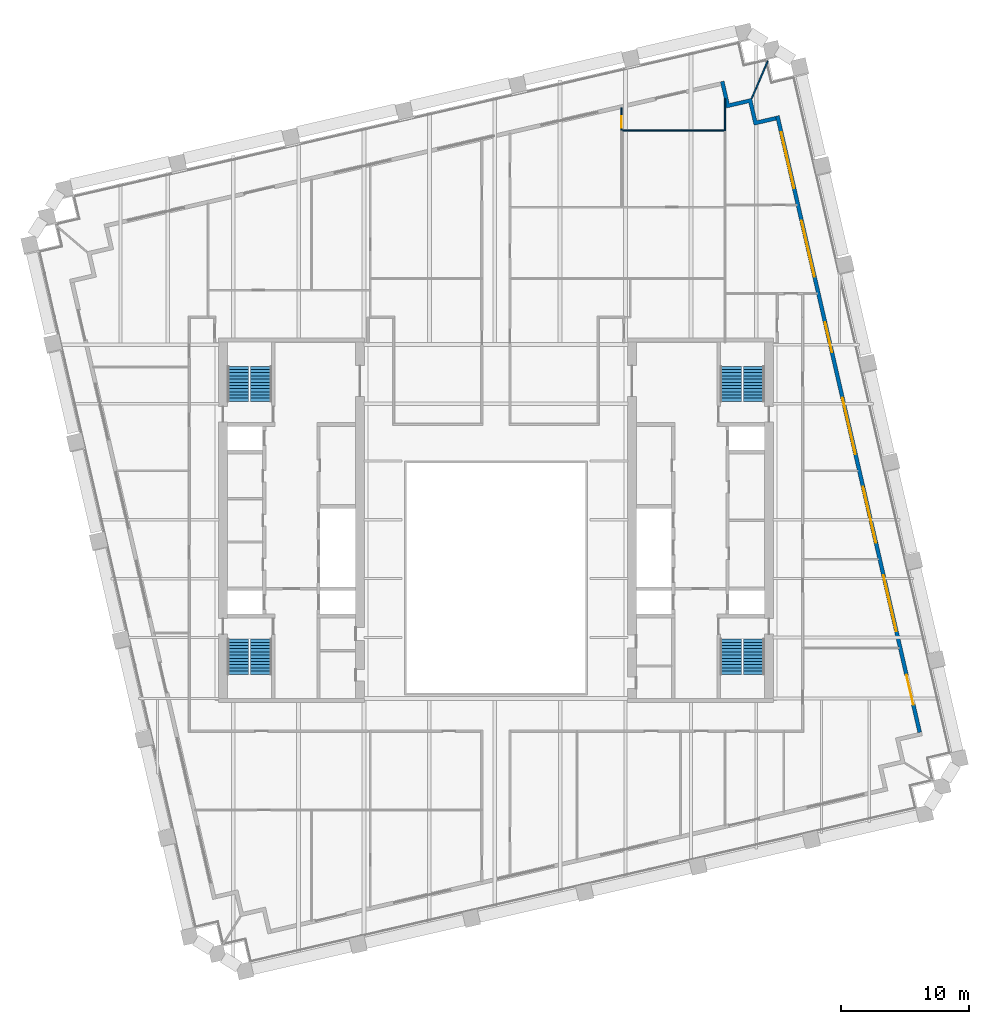
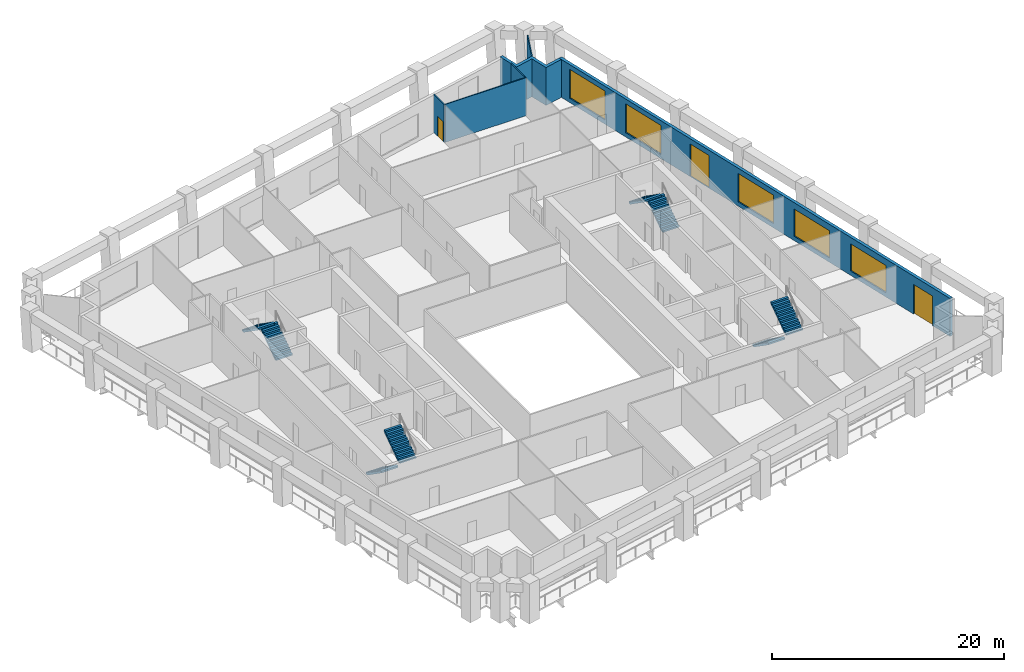
# One storey, part 9 of 11: 8 stair flights, 6 walls, 5 windows, 3 doors, 8 openings, 4 elements without a shape of their own.
"""IFC4 building model written with IfcOpenShell, lengths in metres."""

from ifc_helpers import new_model, si_unit, direction, frame, frame_2d, origin, place, context, subcontext, project, spatial, polyline, rectangle, outline, extrude, material, layer, layer_set, type_object, element, fill, aggregate, save


model = new_model("IFC4")

# Units and contexts
model_context = context("Model", 3, precision=1e-05, world=origin(), true_north=direction((0.0, 1.0)))
body_context = subcontext(model_context, "Body", "Model", "MODEL_VIEW")
ifc_project = project(units=[si_unit("LENGTHUNIT", "METRE"), si_unit("AREAUNIT", "SQUARE_METRE"), si_unit("VOLUMEUNIT", "CUBIC_METRE"), si_unit("PLANEANGLEUNIT", "RADIAN"), si_unit("MASSUNIT", "GRAM", prefix="KILO")], contexts=[model_context])

# Site, building, storey
site_placement = place(None, origin())
site = spatial("IfcSite", under=ifc_project, at=site_placement, CompositionType="ELEMENT")
building_placement = place(site_placement, origin())
building = spatial("IfcBuilding", under=site, at=building_placement, Name="Ogive Exchange Tower", CompositionType="ELEMENT")
storey_placement = place(building_placement, frame((0.0, 0.0, 175.800048828125)))
storey = spatial("IfcBuildingStorey", under=building, at=storey_placement, Name="L38", CompositionType="ELEMENT", Elevation=175.800048828125)

# Wall, openings, doors, windows
ifc_material_1 = material(Name="Precast concrete C40/50", Category="concrete")
ifc_layer_1 = layer(ifc_material_1, 0.300048828125)
ifc_layer_set_1 = layer_set([ifc_layer_1], Name="Limestone-faced wall 300")
wall_type_1 = type_object("IfcWallType", Name="Limestone-faced wall 300", PredefinedType="STANDARD", material=ifc_layer_set_1)
wall_1_placement = place(storey_placement, frame((33.1572265625, -5.092041015625, 0.0), z_axis=(0.0, 0.0, 1.0), x_axis=(-0.224950279389, 0.974370243697, 0.0)))
wall_1 = element("IfcWall", 1, at=wall_1_placement, inside=storey, type_object=wall_type_1, Name="External wall E2", PredefinedType="STANDARD", context=body_context, shape_type="SweptSolid", body=[
    extrude(rectangle(XDim=49.499755859375, YDim=0.300048828125, at=frame_2d((24.75, 0.0))), origin(), (0.0, 0.0, 1.0), 4.0),
])
opening_1_placement = place(wall_1_placement, frame((2.20703125, 0.0, 0.0)))
opening_1 = element("IfcOpeningElement", 2, at=opening_1_placement, cuts=wall_1, Name="Opening D1J", PredefinedType="OPENING", context=body_context, shape_type="SweptSolid", body=[
    extrude(rectangle(XDim=2.39990234375, YDim=3.125, at=frame_2d((1.199951171875, 1.5625))), frame((0.0, 0.159912109375, 0.0), z_axis=(0.0, -1.0, 0.0), x_axis=(1.0, 0.0, 0.0)), (0.0, 0.0, 1.0), 0.320068359375),
])
opening_2_placement = place(wall_1_placement, frame((8.121337890625, 0.0, 0.449951171875)))
opening_2 = element("IfcOpeningElement", 3, at=opening_2_placement, cuts=wall_1, Name="Opening W1D", PredefinedType="OPENING", context=body_context, shape_type="SweptSolid", body=[
    extrude(rectangle(XDim=4.5, YDim=2.875, at=frame_2d((2.25, 1.4375))), frame((0.0, 0.159912109375, 0.0), z_axis=(0.0, -1.0, 0.0), x_axis=(1.0, 0.0, 0.0)), (0.0, 0.0, 1.0), 0.320068359375),
])
opening_3_placement = place(wall_1_placement, frame((15.235595703125, 0.0, 0.449951171875)))
opening_3 = element("IfcOpeningElement", 4, at=opening_3_placement, cuts=wall_1, Name="Opening W1D", PredefinedType="OPENING", context=body_context, shape_type="SweptSolid", body=[
    extrude(rectangle(XDim=4.5, YDim=2.875, at=frame_2d((2.25, 1.4375))), frame((0.0, 0.159912109375, 0.0), z_axis=(0.0, -1.0, 0.0), x_axis=(1.0, 0.0, 0.0)), (0.0, 0.0, 1.0), 0.320068359375),
])
opening_4_placement = place(wall_1_placement, frame((22.35009765625, 0.0, 0.449951171875)))
opening_4 = element("IfcOpeningElement", 5, at=opening_4_placement, cuts=wall_1, Name="Opening W1A", PredefinedType="OPENING", context=body_context, shape_type="SweptSolid", body=[
    extrude(rectangle(XDim=4.5, YDim=3.0, at=frame_2d((2.25, 1.5))), frame((0.0, 0.159912109375, 0.0), z_axis=(0.0, -1.0, 0.0), x_axis=(1.0, 0.0, 0.0)), (0.0, 0.0, 1.0), 0.320068359375),
])
opening_5_placement = place(wall_1_placement, frame((30.51416015625, 0.0, 0.0)))
opening_5 = element("IfcOpeningElement", 6, at=opening_5_placement, cuts=wall_1, Name="Opening D1A", PredefinedType="OPENING", context=body_context, shape_type="SweptSolid", body=[
    extrude(rectangle(XDim=2.39990234375, YDim=3.449951171875, at=frame_2d((1.199951171875, 1.72509765625))), frame((0.0, 0.159912109375, 0.0), z_axis=(0.0, -1.0, 0.0), x_axis=(1.0, 0.0, 0.0)), (0.0, 0.0, 1.0), 0.320068359375),
])
opening_6_placement = place(wall_1_placement, frame((36.57861328125, 0.0, 0.449951171875)))
opening_6 = element("IfcOpeningElement", 7, at=opening_6_placement, cuts=wall_1, Name="Opening W1", PredefinedType="OPENING", context=body_context, shape_type="SweptSolid", body=[
    extrude(rectangle(XDim=4.5, YDim=3.050048828125, at=frame_2d((2.25, 1.52490234375))), frame((0.0, 0.159912109375, 0.0), z_axis=(0.0, -1.0, 0.0), x_axis=(1.0, 0.0, 0.0)), (0.0, 0.0, 1.0), 0.320068359375),
])
opening_7_placement = place(wall_1_placement, frame((43.69287109375, 0.0, 0.449951171875)))
opening_7 = element("IfcOpeningElement", 8, at=opening_7_placement, cuts=wall_1, Name="Opening W1", PredefinedType="OPENING", context=body_context, shape_type="SweptSolid", body=[
    extrude(rectangle(XDim=4.5, YDim=3.050048828125, at=frame_2d((2.25, 1.52490234375))), frame((0.0, 0.159912109375, 0.0), z_axis=(0.0, -1.0, 0.0), x_axis=(1.0, 0.0, 0.0)), (0.0, 0.0, 1.0), 0.320068359375),
])
ifc_material_2 = material(Name="Clear glass in bronze frame", Category="glass")
door_type_1 = type_object("IfcDoorType", Name="Sliding loggia door 2400 x 3125", OperationType="DOUBLE_DOOR_SLIDING", PredefinedType="DOOR", material=ifc_material_2)
door_1_placement = place(opening_1_placement, origin())
door_1 = element("IfcDoor", 9, at=door_1_placement, inside=storey, type_object=door_type_1, Name="Loggia door E00", OperationType="DOUBLE_DOOR_SLIDING", OverallHeight=3.125, OverallWidth=2.39990234375, PredefinedType="DOOR", context=body_context, shape_type="SweptSolid", body=[
    extrude(rectangle(XDim=2.39990234375, YDim=3.125, at=frame_2d((1.199951171875, 1.5625))), frame((0.0, 0.02490234375, 0.0), z_axis=(0.0, -1.0, 0.0), x_axis=(1.0, 0.0, 0.0)), (0.0, 0.0, 1.0), 0.050048828125),
])
fill(opening_1, door_1)
door_type_2 = type_object("IfcDoorType", Name="Sliding loggia door 2400 x 3450", OperationType="DOUBLE_DOOR_SLIDING", PredefinedType="DOOR", material=ifc_material_2)
door_2_placement = place(opening_5_placement, origin())
door_2 = element("IfcDoor", 10, at=door_2_placement, inside=storey, type_object=door_type_2, Name="Loggia door E04", OperationType="DOUBLE_DOOR_SLIDING", OverallHeight=3.449951171875, OverallWidth=2.39990234375, PredefinedType="DOOR", context=body_context, shape_type="SweptSolid", body=[
    extrude(rectangle(XDim=2.39990234375, YDim=3.449951171875, at=frame_2d((1.199951171875, 1.72509765625))), frame((0.0, 0.02490234375, 0.0), z_axis=(0.0, -1.0, 0.0), x_axis=(1.0, 0.0, 0.0)), (0.0, 0.0, 1.0), 0.050048828125),
])
fill(opening_5, door_2)
window_type_1 = type_object("IfcWindowType", Name="Twin lancet window 4500 x 2875", PartitioningType="DOUBLE_PANEL_VERTICAL", PredefinedType="WINDOW", material=ifc_material_2)
window_1_placement = place(opening_2_placement, origin())
window_1 = element("IfcWindow", 11, at=window_1_placement, inside=storey, type_object=window_type_1, Name="Window E01", OverallHeight=2.875, OverallWidth=4.5, PartitioningType="DOUBLE_PANEL_VERTICAL", PredefinedType="WINDOW", context=body_context, shape_type="SweptSolid", body=[
    extrude(rectangle(XDim=4.5, YDim=2.875, at=frame_2d((2.25, 1.4375))), frame((0.0, 0.030029296875, 0.0), z_axis=(0.0, -1.0, 0.0), x_axis=(1.0, 0.0, 0.0)), (0.0, 0.0, 1.0), 0.06005859375),
])
fill(opening_2, window_1)
window_2_placement = place(opening_3_placement, origin())
window_2 = element("IfcWindow", 12, at=window_2_placement, inside=storey, type_object=window_type_1, Name="Window E02", OverallHeight=2.875, OverallWidth=4.5, PartitioningType="DOUBLE_PANEL_VERTICAL", PredefinedType="WINDOW", context=body_context, shape_type="SweptSolid", body=[
    extrude(rectangle(XDim=4.5, YDim=2.875, at=frame_2d((2.25, 1.4375))), frame((0.0, 0.030029296875, 0.0), z_axis=(0.0, -1.0, 0.0), x_axis=(1.0, 0.0, 0.0)), (0.0, 0.0, 1.0), 0.06005859375),
])
fill(opening_3, window_2)
window_type_2 = type_object("IfcWindowType", Name="Twin lancet window 4500 x 3000", PartitioningType="DOUBLE_PANEL_VERTICAL", PredefinedType="WINDOW", material=ifc_material_2)
window_3_placement = place(opening_4_placement, origin())
window_3 = element("IfcWindow", 13, at=window_3_placement, inside=storey, type_object=window_type_2, Name="Window E03", OverallHeight=3.0, OverallWidth=4.5, PartitioningType="DOUBLE_PANEL_VERTICAL", PredefinedType="WINDOW", context=body_context, shape_type="SweptSolid", body=[
    extrude(rectangle(XDim=4.5, YDim=3.0, at=frame_2d((2.25, 1.5))), frame((0.0, 0.030029296875, 0.0), z_axis=(0.0, -1.0, 0.0), x_axis=(1.0, 0.0, 0.0)), (0.0, 0.0, 1.0), 0.06005859375),
])
fill(opening_4, window_3)
window_type_3 = type_object("IfcWindowType", Name="Twin lancet window 4500 x 3050", PartitioningType="DOUBLE_PANEL_VERTICAL", PredefinedType="WINDOW", material=ifc_material_2)
window_4_placement = place(opening_6_placement, origin())
window_4 = element("IfcWindow", 14, at=window_4_placement, inside=storey, type_object=window_type_3, Name="Window E05", OverallHeight=3.050048828125, OverallWidth=4.5, PartitioningType="DOUBLE_PANEL_VERTICAL", PredefinedType="WINDOW", context=body_context, shape_type="SweptSolid", body=[
    extrude(rectangle(XDim=4.5, YDim=3.050048828125, at=frame_2d((2.25, 1.52490234375))), frame((0.0, 0.030029296875, 0.0), z_axis=(0.0, -1.0, 0.0), x_axis=(1.0, 0.0, 0.0)), (0.0, 0.0, 1.0), 0.06005859375),
])
fill(opening_6, window_4)
window_5_placement = place(opening_7_placement, origin())
window_5 = element("IfcWindow", 15, at=window_5_placement, inside=storey, type_object=window_type_3, Name="Window E06", OverallHeight=3.050048828125, OverallWidth=4.5, PartitioningType="DOUBLE_PANEL_VERTICAL", PredefinedType="WINDOW", context=body_context, shape_type="SweptSolid", body=[
    extrude(rectangle(XDim=4.5, YDim=3.050048828125, at=frame_2d((2.25, 1.52490234375))), frame((0.0, 0.030029296875, 0.0), z_axis=(0.0, -1.0, 0.0), x_axis=(1.0, 0.0, 0.0)), (0.0, 0.0, 1.0), 0.06005859375),
])
fill(opening_7, window_5)

# Walls
wall_2_placement = place(storey_placement, origin())
element("IfcWall", 16, at=wall_2_placement, inside=storey, type_object=wall_type_1, Name="External corner wall C2", PredefinedType="STANDARD", context=body_context, shape_type="SweptSolid", body=[
    extrude(outline(polyline([(19.78466796875, 44.162109375), (18.03076171875, 43.757080078125), (17.558349609375, 45.80322265625), (17.8505859375, 45.870849609375), (18.255615234375, 44.116943359375), (20.009521484375, 44.52197265625), (20.414306640625, 42.76806640625), (21.8759765625, 43.10546875), (21.943359375, 42.81298828125), (20.189697265625, 42.408203125), (19.78466796875, 44.162109375)])), origin(), (0.0, 0.0, 1.0), 4.0),
])
ifc_material_3 = material(Name="Laminated safety glass in steel frame", Category="steel")
ifc_layer_2 = layer(ifc_material_3, 0.10009765625)
ifc_layer_set_2 = layer_set([ifc_layer_2], Name="Loggia end screen 100")
wall_type_2 = type_object("IfcWallType", Name="Loggia end screen 100", PredefinedType="STANDARD", material=ifc_layer_set_2)
wall_3_placement = place(storey_placement, frame((20.009521484375, 44.52197265625, -0.050048828125), z_axis=(0.0, 0.0, 1.0), x_axis=(0.396884906291, 0.917868384442, 0.0)))
element("IfcWall", 17, at=wall_3_placement, inside=storey, type_object=wall_type_2, Name="Loggia end screen C2", PredefinedType="STANDARD", context=body_context, shape_type="SweptSolid", body=[
    extrude(rectangle(XDim=3.17724609375, YDim=0.10009765625, at=frame_2d((1.588623046875, 0.0))), origin(), (0.0, 0.0, 1.0), 4.050048828125),
])
ifc_material_4 = material(Name="Partition 100 gypsum")
ifc_layer_3 = layer(ifc_material_4, 0.10009765625)
ifc_layer_set_3 = layer_set([ifc_layer_3], Name="Partition 100 gypsum")
wall_type_3 = type_object("IfcWallType", Name="Partition 100 gypsum", PredefinedType="PARTITIONING", material=ifc_layer_set_3)
wall_4_placement = place(storey_placement, frame((9.8798828125, 42.0, 0.0), z_axis=(0.0, 0.0, 1.0), x_axis=(1.0, 0.0, 0.0)))
element("IfcWall", 18, at=wall_4_placement, inside=storey, type_object=wall_type_3, Name="L38-PWL-049", PredefinedType="PARTITIONING", context=body_context, shape_type="SweptSolid", body=[
    extrude(rectangle(XDim=8.090087890625, YDim=0.10009765625, at=frame_2d((4.044921875, 0.0))), origin(), (0.0, 0.0, 1.0), 4.0),
])

# Wall, opening, door
wall_5_placement = place(storey_placement, frame((9.830078125, 43.7939453125, 0.0), z_axis=(0.0, 0.0, 1.0), x_axis=(0.0, -1.0, 0.0)))
wall_5 = element("IfcWall", 19, at=wall_5_placement, inside=storey, type_object=wall_type_3, Name="L38-PWL-050", PredefinedType="PARTITIONING", context=body_context, shape_type="SweptSolid", body=[
    extrude(rectangle(XDim=1.7939453125, YDim=0.10009765625, at=frame_2d((0.89697265625, 0.0))), origin(), (0.0, 0.0, 1.0), 4.0),
])
opening_8_placement = place(wall_5_placement, frame((0.694091796875, 0.0, 0.0)))
opening_8 = element("IfcOpeningElement", 20, at=opening_8_placement, cuts=wall_5, Name="Opening L38-I30", PredefinedType="OPENING", context=body_context, shape_type="SweptSolid", body=[
    extrude(rectangle(XDim=0.89990234375, YDim=2.10009765625, at=frame_2d((0.449951171875, 1.050048828125))), frame((0.0, 0.06005859375, 0.0), z_axis=(0.0, -1.0, 0.0), x_axis=(1.0, 0.0, 0.0)), (0.0, 0.0, 1.0), 0.1201171875),
])
ifc_material_5 = material(Name="Door 900 x 2100")
door_type_3 = type_object("IfcDoorType", Name="Door 900 x 2100", OperationType="NOTDEFINED", PredefinedType="DOOR", material=ifc_material_5)
door_3_placement = place(opening_8_placement, origin())
door_3 = element("IfcDoor", 21, at=door_3_placement, inside=storey, type_object=door_type_3, Name="L38-IDR-030", ObjectType="DT1", OperationType="SINGLE_SWING_LEFT", OverallHeight=2.10009765625, OverallWidth=0.89990234375, PredefinedType="DOOR", context=body_context, shape_type="SweptSolid", body=[
    extrude(rectangle(XDim=0.89990234375, YDim=2.10009765625, at=frame_2d((0.449951171875, 1.050048828125))), frame((0.0, 0.02490234375, 0.0), z_axis=(0.0, -1.0, 0.0), x_axis=(1.0, 0.0, 0.0)), (0.0, 0.0, 1.0), 0.050048828125),
])
fill(opening_8, door_3)

# Wall
wall_6_placement = place(storey_placement, frame((17.919921875, 42.050048828125, 0.0), z_axis=(0.0, 0.0, 1.0), x_axis=(0.0, 1.0, 0.0)))
element("IfcWall", 22, at=wall_6_placement, inside=storey, type_object=wall_type_3, Name="L38-PWL-066", PredefinedType="PARTITIONING", context=body_context, shape_type="SweptSolid", body=[
    extrude(rectangle(XDim=2.431884765625, YDim=0.10009765625, at=frame_2d((1.2158203125, 0.0))), origin(), (0.0, 0.0, 1.0), 4.0),
])

# Stair, stair flights
ifc_material_6 = material(Name="Concrete C40/50", Category="concrete")
stair_type = type_object("IfcStairType", Name="Exit stair 1650 wide", PredefinedType="HALF_TURN_STAIR", material=ifc_material_6)
stair_1_placement = place(storey_placement, origin())
stair_1 = element("IfcStair", 23, at=stair_1_placement, inside=storey, type_object=stair_type, Name="L38 exit stair ST1", PredefinedType="HALF_TURN_STAIR")
stair_flight_type = type_object("IfcStairFlightType", Name="Stair flight 1650 wide", PredefinedType="STRAIGHT", material=ifc_material_6)
stair_flight_1_placement = place(storey_placement, frame((-20.175048828125, 2.199951171875, 0.0), z_axis=(0.0, 0.0, 1.0), x_axis=(0.0, -1.0, 0.0)))
stair_flight_1 = element("IfcStairFlight", 24, at=stair_flight_1_placement, type_object=stair_flight_type, Name="ST1 flight 1", NumberOfRisers=12, NumberOfTreads=11, PredefinedType="STRAIGHT", RiserHeight=0.175, TreadLength=0.25, context=body_context, shape_type="SweptSolid", body=[
    extrude(outline(polyline([(0.0, 0.0), (0.0, 0.175048828125), (0.25, 0.175048828125), (0.25, 0.35009765625), (0.5, 0.35009765625), (0.5, 0.52490234375), (0.75, 0.52490234375), (0.75, 0.699951171875), (1.0, 0.699951171875), (1.0, 0.875), (1.25, 0.875), (1.25, 1.050048828125), (1.5, 1.050048828125), (1.5, 1.22509765625), (1.75, 1.22509765625), (1.75, 1.39990234375), (2.0, 1.39990234375), (2.0, 1.574951171875), (2.25, 1.574951171875), (2.25, 1.75), (2.5, 1.75), (2.5, 1.925048828125), (2.75, 1.925048828125), (2.75, 2.10009765625), (2.75, 1.741943359375), (0.261474609375, 0.0), (0.0, 0.0)])), frame((0.0, 0.824951171875, 0.0), z_axis=(0.0, -1.0, 0.0), x_axis=(1.0, 0.0, 0.0)), (0.0, 0.0, 1.0), 1.64990234375),
])
stair_flight_2_placement = place(storey_placement, frame((-18.375, -0.550048828125, 2.099853515625), z_axis=(0.0, 0.0, 1.0), x_axis=(0.0, 1.0, 0.0)))
stair_flight_2 = element("IfcStairFlight", 25, at=stair_flight_2_placement, type_object=stair_flight_type, Name="ST1 flight 2", NumberOfRisers=12, NumberOfTreads=11, PredefinedType="STRAIGHT", RiserHeight=0.175, TreadLength=0.25, context=body_context, shape_type="SweptSolid", body=[
    extrude(outline(polyline([(0.0, 0.0), (0.0, 0.175048828125), (0.25, 0.175048828125), (0.25, 0.35009765625), (0.5, 0.35009765625), (0.5, 0.52490234375), (0.75, 0.52490234375), (0.75, 0.699951171875), (1.0, 0.699951171875), (1.0, 0.875), (1.25, 0.875), (1.25, 1.050048828125), (1.5, 1.050048828125), (1.5, 1.22509765625), (1.75, 1.22509765625), (1.75, 1.39990234375), (2.0, 1.39990234375), (2.0, 1.574951171875), (2.25, 1.574951171875), (2.25, 1.75), (2.5, 1.75), (2.5, 1.925048828125), (2.75, 1.925048828125), (2.75, 2.10009765625), (2.75, 1.741943359375), (0.261474609375, 0.0), (0.0, 0.0)])), frame((0.0, 0.824951171875, 0.0), z_axis=(0.0, -1.0, 0.0), x_axis=(1.0, 0.0, 0.0)), (0.0, 0.0, 1.0), 1.64990234375),
])
aggregate(stair_1, [stair_flight_1, stair_flight_2])

stair_2_placement = place(storey_placement, origin())
stair_2 = element("IfcStair", 26, at=stair_2_placement, inside=storey, type_object=stair_type, Name="L38 exit stair ST2", PredefinedType="HALF_TURN_STAIR")
stair_flight_3_placement = place(storey_placement, frame((-18.375, 20.800048828125, 0.0), z_axis=(0.0, 0.0, 1.0), x_axis=(0.0, 1.0, 0.0)))
stair_flight_3 = element("IfcStairFlight", 27, at=stair_flight_3_placement, type_object=stair_flight_type, Name="ST2 flight 1", NumberOfRisers=12, NumberOfTreads=11, PredefinedType="STRAIGHT", RiserHeight=0.175, TreadLength=0.25, context=body_context, shape_type="SweptSolid", body=[
    extrude(outline(polyline([(0.0, 0.0), (0.0, 0.175048828125), (0.25, 0.175048828125), (0.25, 0.35009765625), (0.5, 0.35009765625), (0.5, 0.52490234375), (0.75, 0.52490234375), (0.75, 0.699951171875), (1.0, 0.699951171875), (1.0, 0.875), (1.25, 0.875), (1.25, 1.050048828125), (1.5, 1.050048828125), (1.5, 1.22509765625), (1.75, 1.22509765625), (1.75, 1.39990234375), (2.0, 1.39990234375), (2.0, 1.574951171875), (2.25, 1.574951171875), (2.25, 1.75), (2.5, 1.75), (2.5, 1.925048828125), (2.75, 1.925048828125), (2.75, 2.10009765625), (2.75, 1.741943359375), (0.261474609375, 0.0), (0.0, 0.0)])), frame((0.0, 0.824951171875, 0.0), z_axis=(0.0, -1.0, 0.0), x_axis=(1.0, 0.0, 0.0)), (0.0, 0.0, 1.0), 1.64990234375),
])
stair_flight_4_placement = place(storey_placement, frame((-20.175048828125, 23.550048828125, 2.099853515625), z_axis=(0.0, 0.0, 1.0), x_axis=(0.0, -1.0, 0.0)))
stair_flight_4 = element("IfcStairFlight", 28, at=stair_flight_4_placement, type_object=stair_flight_type, Name="ST2 flight 2", NumberOfRisers=12, NumberOfTreads=11, PredefinedType="STRAIGHT", RiserHeight=0.175, TreadLength=0.25, context=body_context, shape_type="SweptSolid", body=[
    extrude(outline(polyline([(0.0, 0.0), (0.0, 0.175048828125), (0.25, 0.175048828125), (0.25, 0.35009765625), (0.5, 0.35009765625), (0.5, 0.52490234375), (0.75, 0.52490234375), (0.75, 0.699951171875), (1.0, 0.699951171875), (1.0, 0.875), (1.25, 0.875), (1.25, 1.050048828125), (1.5, 1.050048828125), (1.5, 1.22509765625), (1.75, 1.22509765625), (1.75, 1.39990234375), (2.0, 1.39990234375), (2.0, 1.574951171875), (2.25, 1.574951171875), (2.25, 1.75), (2.5, 1.75), (2.5, 1.925048828125), (2.75, 1.925048828125), (2.75, 2.10009765625), (2.75, 1.741943359375), (0.261474609375, 0.0), (0.0, 0.0)])), frame((0.0, 0.824951171875, 0.0), z_axis=(0.0, -1.0, 0.0), x_axis=(1.0, 0.0, 0.0)), (0.0, 0.0, 1.0), 1.64990234375),
])
aggregate(stair_2, [stair_flight_3, stair_flight_4])

stair_3_placement = place(storey_placement, origin())
stair_3 = element("IfcStair", 29, at=stair_3_placement, inside=storey, type_object=stair_type, Name="L38 exit stair ST3", PredefinedType="HALF_TURN_STAIR")
stair_flight_5_placement = place(storey_placement, frame((18.375, 2.199951171875, 0.0), z_axis=(0.0, 0.0, 1.0), x_axis=(0.0, -1.0, 0.0)))
stair_flight_5 = element("IfcStairFlight", 30, at=stair_flight_5_placement, type_object=stair_flight_type, Name="ST3 flight 1", NumberOfRisers=12, NumberOfTreads=11, PredefinedType="STRAIGHT", RiserHeight=0.175, TreadLength=0.25, context=body_context, shape_type="SweptSolid", body=[
    extrude(outline(polyline([(0.0, 0.0), (0.0, 0.175048828125), (0.25, 0.175048828125), (0.25, 0.35009765625), (0.5, 0.35009765625), (0.5, 0.52490234375), (0.75, 0.52490234375), (0.75, 0.699951171875), (1.0, 0.699951171875), (1.0, 0.875), (1.25, 0.875), (1.25, 1.050048828125), (1.5, 1.050048828125), (1.5, 1.22509765625), (1.75, 1.22509765625), (1.75, 1.39990234375), (2.0, 1.39990234375), (2.0, 1.574951171875), (2.25, 1.574951171875), (2.25, 1.75), (2.5, 1.75), (2.5, 1.925048828125), (2.75, 1.925048828125), (2.75, 2.10009765625), (2.75, 1.741943359375), (0.261474609375, 0.0), (0.0, 0.0)])), frame((0.0, 0.824951171875, 0.0), z_axis=(0.0, -1.0, 0.0), x_axis=(1.0, 0.0, 0.0)), (0.0, 0.0, 1.0), 1.64990234375),
])
stair_flight_6_placement = place(storey_placement, frame((20.175048828125, -0.550048828125, 2.099853515625), z_axis=(0.0, 0.0, 1.0), x_axis=(0.0, 1.0, 0.0)))
stair_flight_6 = element("IfcStairFlight", 31, at=stair_flight_6_placement, type_object=stair_flight_type, Name="ST3 flight 2", NumberOfRisers=12, NumberOfTreads=11, PredefinedType="STRAIGHT", RiserHeight=0.175, TreadLength=0.25, context=body_context, shape_type="SweptSolid", body=[
    extrude(outline(polyline([(0.0, 0.0), (0.0, 0.175048828125), (0.25, 0.175048828125), (0.25, 0.35009765625), (0.5, 0.35009765625), (0.5, 0.52490234375), (0.75, 0.52490234375), (0.75, 0.699951171875), (1.0, 0.699951171875), (1.0, 0.875), (1.25, 0.875), (1.25, 1.050048828125), (1.5, 1.050048828125), (1.5, 1.22509765625), (1.75, 1.22509765625), (1.75, 1.39990234375), (2.0, 1.39990234375), (2.0, 1.574951171875), (2.25, 1.574951171875), (2.25, 1.75), (2.5, 1.75), (2.5, 1.925048828125), (2.75, 1.925048828125), (2.75, 2.10009765625), (2.75, 1.741943359375), (0.261474609375, 0.0), (0.0, 0.0)])), frame((0.0, 0.824951171875, 0.0), z_axis=(0.0, -1.0, 0.0), x_axis=(1.0, 0.0, 0.0)), (0.0, 0.0, 1.0), 1.64990234375),
])
aggregate(stair_3, [stair_flight_5, stair_flight_6])

stair_4_placement = place(storey_placement, origin())
stair_4 = element("IfcStair", 32, at=stair_4_placement, inside=storey, type_object=stair_type, Name="L38 exit stair ST4", PredefinedType="HALF_TURN_STAIR")
stair_flight_7_placement = place(storey_placement, frame((20.175048828125, 20.800048828125, 0.0), z_axis=(0.0, 0.0, 1.0), x_axis=(0.0, 1.0, 0.0)))
stair_flight_7 = element("IfcStairFlight", 33, at=stair_flight_7_placement, type_object=stair_flight_type, Name="ST4 flight 1", NumberOfRisers=12, NumberOfTreads=11, PredefinedType="STRAIGHT", RiserHeight=0.175, TreadLength=0.25, context=body_context, shape_type="SweptSolid", body=[
    extrude(outline(polyline([(0.0, 0.0), (0.0, 0.175048828125), (0.25, 0.175048828125), (0.25, 0.35009765625), (0.5, 0.35009765625), (0.5, 0.52490234375), (0.75, 0.52490234375), (0.75, 0.699951171875), (1.0, 0.699951171875), (1.0, 0.875), (1.25, 0.875), (1.25, 1.050048828125), (1.5, 1.050048828125), (1.5, 1.22509765625), (1.75, 1.22509765625), (1.75, 1.39990234375), (2.0, 1.39990234375), (2.0, 1.574951171875), (2.25, 1.574951171875), (2.25, 1.75), (2.5, 1.75), (2.5, 1.925048828125), (2.75, 1.925048828125), (2.75, 2.10009765625), (2.75, 1.741943359375), (0.261474609375, 0.0), (0.0, 0.0)])), frame((0.0, 0.824951171875, 0.0), z_axis=(0.0, -1.0, 0.0), x_axis=(1.0, 0.0, 0.0)), (0.0, 0.0, 1.0), 1.64990234375),
])
stair_flight_8_placement = place(storey_placement, frame((18.375, 23.550048828125, 2.099853515625), z_axis=(0.0, 0.0, 1.0), x_axis=(0.0, -1.0, 0.0)))
stair_flight_8 = element("IfcStairFlight", 34, at=stair_flight_8_placement, type_object=stair_flight_type, Name="ST4 flight 2", NumberOfRisers=12, NumberOfTreads=11, PredefinedType="STRAIGHT", RiserHeight=0.175, TreadLength=0.25, context=body_context, shape_type="SweptSolid", body=[
    extrude(outline(polyline([(0.0, 0.0), (0.0, 0.175048828125), (0.25, 0.175048828125), (0.25, 0.35009765625), (0.5, 0.35009765625), (0.5, 0.52490234375), (0.75, 0.52490234375), (0.75, 0.699951171875), (1.0, 0.699951171875), (1.0, 0.875), (1.25, 0.875), (1.25, 1.050048828125), (1.5, 1.050048828125), (1.5, 1.22509765625), (1.75, 1.22509765625), (1.75, 1.39990234375), (2.0, 1.39990234375), (2.0, 1.574951171875), (2.25, 1.574951171875), (2.25, 1.75), (2.5, 1.75), (2.5, 1.925048828125), (2.75, 1.925048828125), (2.75, 2.10009765625), (2.75, 1.741943359375), (0.261474609375, 0.0), (0.0, 0.0)])), frame((0.0, 0.824951171875, 0.0), z_axis=(0.0, -1.0, 0.0), x_axis=(1.0, 0.0, 0.0)), (0.0, 0.0, 1.0), 1.64990234375),
])
aggregate(stair_4, [stair_flight_7, stair_flight_8])

save(model, "model.ifc")
